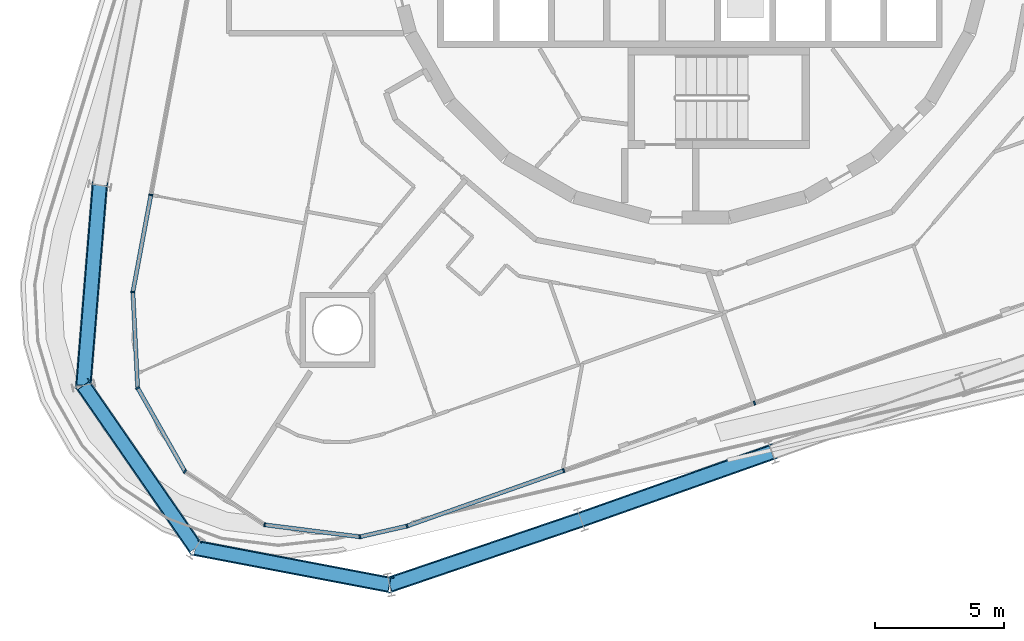
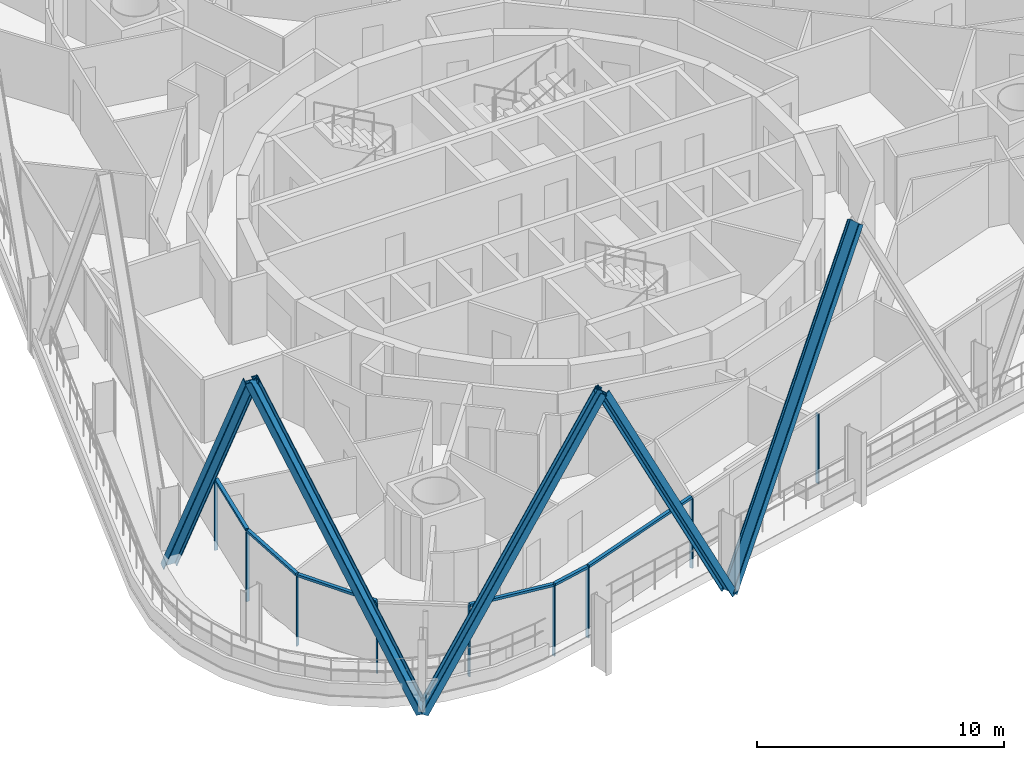
# One storey, part 2 of 25: 20 members, 2 elements without a shape of their own.
"""IFC4 building model written with IfcOpenShell, lengths in metres."""

from ifc_helpers import new_model, si_unit, direction, frame, origin, origin_2d, place, context, subcontext, project, spatial, rectangle, i_section, extrude, material, layer, layer_set, material_profile, profile_set, type_object, element, aggregate, save


model = new_model("IFC4")

# Units and contexts
model_context = context("Model", 3, precision=1e-05, world=origin(), true_north=direction((0.0, 1.0)))
body_context = subcontext(model_context, "Body", "Model", "MODEL_VIEW")
ifc_project = project(units=[si_unit("LENGTHUNIT", "METRE"), si_unit("AREAUNIT", "SQUARE_METRE"), si_unit("VOLUMEUNIT", "CUBIC_METRE"), si_unit("PLANEANGLEUNIT", "RADIAN"), si_unit("MASSUNIT", "GRAM", prefix="KILO")], contexts=[model_context])

# Site, building, storey
site_placement = place(None, origin())
site = spatial("IfcSite", under=ifc_project, at=site_placement, CompositionType="ELEMENT")
building_placement = place(site_placement, origin())
building = spatial("IfcBuilding", under=site, at=building_placement, Name="Spindle Arch Residences", CompositionType="ELEMENT")
storey_placement = place(building_placement, frame((0.0, 0.0, 151.699951171875)))
storey = spatial("IfcBuildingStorey", under=building, at=storey_placement, Name="L37", CompositionType="ELEMENT", Elevation=151.699951171875)

# Curtain wall, members
ifc_material_1 = material(Name="Aluminium bronze unitised frame with tinted glass", Category="aluminium")
ifc_layer_1 = layer(ifc_material_1, 0.159912109375)
ifc_layer_set_1 = layer_set([ifc_layer_1], Name="CW-D corner wall on the fillet arcs")
curtain_wall_type_1 = type_object("IfcCurtainWallType", Name="CW-D corner wall on the fillet arcs", PredefinedType="NOTDEFINED", material=ifc_layer_set_1)
curtain_wall_1_placement = place(storey_placement, origin())
curtain_wall_1 = element("IfcCurtainWall", 1, at=curtain_wall_1_placement, inside=storey, type_object=curtain_wall_type_1, Name="CW-D L37 run 5", PredefinedType="NOTDEFINED")
ifc_material_2 = material(Name="Aluminium bronze anodised mullion", Category="aluminium")
ifc_material_profile_1 = material_profile(ifc_material_2, rectangle(XDim=0.159912109375, YDim=0.06005859375, at=origin_2d()), Name="MU 60x160")
ifc_profile_set_1 = profile_set([ifc_material_profile_1], Name="Aluminium bronze anodised mullion")
member_type_1 = type_object("IfcMemberType", Name="Bronze mullion 60x160", PredefinedType="MULLION", material=ifc_profile_set_1)
member_1_placement = place(storey_placement, frame((-20.92724609375, -10.77685546875, -0.449951171875), z_axis=(0.0, 0.0, 1.0), x_axis=(0.983254907564, -0.182235525492, 0.0)))
member_1 = element("IfcMember", 2, at=member_1_placement, type_object=member_type_1, Name="CW-D mullion 00", PredefinedType="MULLION", context=body_context, shape_type="SweptSolid", body=[
    extrude(rectangle(XDim=0.159912109375, YDim=0.06005859375, at=origin_2d()), origin(), (0.0, 0.0, 1.0), 3.449951171875),
])
member_2_placement = place(storey_placement, frame((-21.6259765625, -14.546142578125, -0.449951171875), z_axis=(0.0, 0.0, 1.0), x_axis=(0.99877754864, 0.049430843939, 0.0)))
member_2 = element("IfcMember", 3, at=member_2_placement, type_object=member_type_1, Name="CW-D mullion 01", PredefinedType="MULLION", context=body_context, shape_type="SweptSolid", body=[
    extrude(rectangle(XDim=0.159912109375, YDim=0.06005859375, at=origin_2d()), origin(), (0.0, 0.0, 1.0), 3.449951171875),
])
member_3_placement = place(storey_placement, frame((-21.441650390625, -18.268310546875, -0.449951171875), z_axis=(0.0, 0.0, 1.0), x_axis=(0.870355694762, 0.492423562185, 0.0)))
member_3 = element("IfcMember", 4, at=member_3_placement, type_object=member_type_1, Name="CW-D mullion 02", PredefinedType="MULLION", context=body_context, shape_type="SweptSolid", body=[
    extrude(rectangle(XDim=0.159912109375, YDim=0.06005859375, at=origin_2d()), origin(), (0.0, 0.0, 1.0), 3.449951171875),
])
member_4_placement = place(storey_placement, frame((-19.6064453125, -21.511962890625, -0.449951171875), z_axis=(0.0, 0.0, 1.0), x_axis=(0.556778968928, 0.830660688705, 0.0)))
member_4 = element("IfcMember", 5, at=member_4_placement, type_object=member_type_1, Name="CW-D mullion 03", PredefinedType="MULLION", context=body_context, shape_type="SweptSolid", body=[
    extrude(rectangle(XDim=0.159912109375, YDim=0.06005859375, at=origin_2d()), origin(), (0.0, 0.0, 1.0), 3.449951171875),
])
member_5_placement = place(storey_placement, frame((-16.510986328125, -23.5869140625, -0.449951171875), z_axis=(0.0, 0.0, 1.0), x_axis=(0.12475602349, 0.992187449327, 0.0)))
member_5 = element("IfcMember", 6, at=member_5_placement, type_object=member_type_1, Name="CW-D mullion 04", PredefinedType="MULLION", context=body_context, shape_type="SweptSolid", body=[
    extrude(rectangle(XDim=0.159912109375, YDim=0.06005859375, at=origin_2d()), origin(), (0.0, 0.0, 1.0), 3.449951171875),
])
member_6_placement = place(storey_placement, frame((-12.813232421875, -24.0517578125, -0.449951171875), z_axis=(0.0, 0.0, 1.0), x_axis=(-0.222115779565, 0.975020297465, 0.0)))
member_6 = element("IfcMember", 7, at=member_6_placement, type_object=member_type_1, Name="CW-D mullion 05", PredefinedType="MULLION", context=body_context, shape_type="SweptSolid", body=[
    extrude(rectangle(XDim=0.159912109375, YDim=0.06005859375, at=origin_2d()), origin(), (0.0, 0.0, 1.0), 3.449951171875),
])
member_7_placement = place(storey_placement, frame((-10.984130859375, -23.63525390625, -0.449951171875), z_axis=(0.0, 0.0, 1.0), x_axis=(-0.333806859234, 0.942641491092, 0.0)))
member_7 = element("IfcMember", 8, at=member_7_placement, type_object=member_type_1, Name="CW-D mullion 06", PredefinedType="MULLION", context=body_context, shape_type="SweptSolid", body=[
    extrude(rectangle(XDim=0.159912109375, YDim=0.06005859375, at=origin_2d()), origin(), (0.0, 0.0, 1.0), 3.449951171875),
])

ifc_material_3 = material(Name="Aluminium bronze unitised frame with tinted glass", Category="aluminium")
ifc_layer_2 = layer(ifc_material_3, 0.159912109375)
ifc_layer_set_2 = layer_set([ifc_layer_2], Name="CW-C typical residential unitised wall")
curtain_wall_type_2 = type_object("IfcCurtainWallType", Name="CW-C typical residential unitised wall", PredefinedType="NOTDEFINED", material=ifc_layer_set_2)
curtain_wall_2_placement = place(storey_placement, origin())
curtain_wall_2 = element("IfcCurtainWall", 9, at=curtain_wall_2_placement, inside=storey, type_object=curtain_wall_type_2, Name="CW-C L37 run 6", PredefinedType="NOTDEFINED")
member_8_placement = place(storey_placement, frame((-4.900634765625, -21.48095703125, -0.449951171875), z_axis=(0.0, 0.0, 1.0), x_axis=(-0.333806859234, 0.942641491092, 0.0)))
member_8 = element("IfcMember", 10, at=member_8_placement, type_object=member_type_1, Name="CW-C mullion 20", PredefinedType="MULLION", context=body_context, shape_type="SweptSolid", body=[
    extrude(rectangle(XDim=0.159912109375, YDim=0.06005859375, at=origin_2d()), origin(), (0.0, 0.0, 1.0), 3.449951171875),
])
member_9_placement = place(storey_placement, frame((2.508544921875, -18.857177734375, -0.449951171875), z_axis=(0.0, 0.0, 1.0), x_axis=(-0.333806859234, 0.942641491092, 0.0)))
member_9 = element("IfcMember", 11, at=member_9_placement, type_object=member_type_1, Name="CW-C mullion 21", PredefinedType="MULLION", context=body_context, shape_type="SweptSolid", body=[
    extrude(rectangle(XDim=0.159912109375, YDim=0.06005859375, at=origin_2d()), origin(), (0.0, 0.0, 1.0), 3.449951171875),
])
aggregate(curtain_wall_2, [member_8, member_9])

# Member
ifc_material_4 = material(Name="Aluminium bronze anodised transom", Category="aluminium")
ifc_material_profile_2 = material_profile(ifc_material_4, rectangle(XDim=0.159912109375, YDim=0.1201171875, at=origin_2d()), Name="TR 120x160")
ifc_profile_set_2 = profile_set([ifc_material_profile_2], Name="Aluminium bronze anodised transom")
member_type_2 = type_object("IfcMemberType", Name="Bronze transom 120x160", PredefinedType="USERDEFINED", material=ifc_profile_set_2)
member_10_placement = place(storey_placement, frame((-20.932861328125, -10.806396484375, 3.06005859375), z_axis=(-0.182198152475, -0.983261833509, 0.0), x_axis=(0.983261833509, -0.182198152475, 0.0)))
member_10 = element("IfcMember", 12, at=member_10_placement, type_object=member_type_2, Name="CW-D transom 00", ObjectType="TRANSOM", PredefinedType="USERDEFINED", context=body_context, shape_type="SweptSolid", body=[
    extrude(rectangle(XDim=0.159912109375, YDim=0.1201171875, at=origin_2d()), origin(), (0.0, 0.0, 1.0), 3.7734375),
])

member_11_placement = place(storey_placement, frame((-21.62451171875, -14.576171875, 3.06005859375), z_axis=(0.049472678643, -0.998775477306, 0.0), x_axis=(0.998775477306, 0.049472678643, 0.0)))
member_11 = element("IfcMember", 13, at=member_11_placement, type_object=member_type_2, Name="CW-D transom 01", ObjectType="TRANSOM", PredefinedType="USERDEFINED", context=body_context, shape_type="SweptSolid", body=[
    extrude(rectangle(XDim=0.159912109375, YDim=0.1201171875, at=origin_2d()), origin(), (0.0, 0.0, 1.0), 3.66650390625),
])

member_12_placement = place(storey_placement, frame((-21.427001953125, -18.29443359375, 3.06005859375), z_axis=(0.49243456751, -0.870349468157, 0.0), x_axis=(0.870349468157, 0.49243456751, 0.0)))
member_12 = element("IfcMember", 14, at=member_12_placement, type_object=member_type_2, Name="CW-D transom 02", ObjectType="TRANSOM", PredefinedType="USERDEFINED", context=body_context, shape_type="SweptSolid", body=[
    extrude(rectangle(XDim=0.159912109375, YDim=0.1201171875, at=origin_2d()), origin(), (0.0, 0.0, 1.0), 3.666748046875),
])

member_13_placement = place(storey_placement, frame((-16.481201171875, -23.590576171875, 3.06005859375), z_axis=(0.992185413992, -0.12477220949, 0.0), x_axis=(0.12477220949, 0.992185413992, 0.0)))
member_13 = element("IfcMember", 15, at=member_13_placement, type_object=member_type_2, Name="CW-D transom 04", ObjectType="TRANSOM", PredefinedType="USERDEFINED", context=body_context, shape_type="SweptSolid", body=[
    extrude(rectangle(XDim=0.159912109375, YDim=0.1201171875, at=origin_2d()), origin(), (0.0, 0.0, 1.0), 3.666748046875),
])

member_14_placement = place(storey_placement, frame((-12.783935546875, -24.045166015625, 3.06005859375), z_axis=(0.975028425033, 0.222080099015, 0.0), x_axis=(-0.222080099015, 0.975028425033, 0.0)))
member_14 = element("IfcMember", 16, at=member_14_placement, type_object=member_type_2, Name="CW-D transom 05", ObjectType="TRANSOM", PredefinedType="USERDEFINED", context=body_context, shape_type="SweptSolid", body=[
    extrude(rectangle(XDim=0.159912109375, YDim=0.1201171875, at=origin_2d()), origin(), (0.0, 0.0, 1.0), 1.816162109375),
])

member_15_placement = place(storey_placement, frame((-10.955810546875, -23.625244140625, 3.06005859375), z_axis=(0.942638740525, 0.333814626495, 0.0), x_axis=(-0.333814626495, 0.942638740525, 0.0)))
member_15 = element("IfcMember", 17, at=member_15_placement, type_object=member_type_2, Name="CW-D transom 06", ObjectType="TRANSOM", PredefinedType="USERDEFINED", context=body_context, shape_type="SweptSolid", body=[
    extrude(rectangle(XDim=0.159912109375, YDim=0.1201171875, at=origin_2d()), origin(), (0.0, 0.0, 1.0), 6.3935546875),
])

aggregate(curtain_wall_1, [member_1, member_10, member_2, member_11, member_3, member_12, member_4, member_5, member_13, member_6, member_14, member_7, member_15])

# Members
ifc_material_5 = material(Name="Steel S460ML, intumescent coating R 240", Category="steel")
ifc_material_profile_3 = material_profile(ifc_material_5, i_section(OverallWidth=0.304931640625, OverallDepth=0.6201171875, WebThickness=0.02099609375, FlangeThickness=0.0400390625, FilletRadius=0.027099609375, at=origin_2d()), Name="HEM 600")
ifc_profile_set_3 = profile_set([ifc_material_profile_3], Name="Steel S460ML, intumescent coating R 240")
member_type_3 = type_object("IfcMemberType", Name="Diagrid diagonal HEM 600", PredefinedType="BRACE", material=ifc_profile_set_3)
member_16_placement = place(storey_placement, frame((-22.91357421875, -10.40869140625, -0.699951171875), z_axis=(-0.039433141018, -0.48298767526, 0.874738779829), x_axis=(0.071180502887, 0.871837868497, 0.484594745188)))
element("IfcMember", 18, at=member_16_placement, inside=storey, type_object=member_type_3, Name="Diagrid diagonal 4.1.17", PredefinedType="BRACE", context=body_context, shape_type="SweptSolid", body=[
    extrude(i_section(OverallWidth=0.304931640625, OverallDepth=0.6201171875, WebThickness=0.02099609375, FlangeThickness=0.0400390625, FilletRadius=0.027099609375, at=origin_2d()), origin(), (0.0, 0.0, 1.0), 16.0849609375),
])
member_17_placement = place(storey_placement, frame((-19.192138671875, -24.482666015625, -0.699951171875), z_axis=(-0.271863643291, 0.39354018562, 0.878189206127), x_axis=(0.499144937308, -0.722544540716, 0.478313410058)))
element("IfcMember", 19, at=member_17_placement, inside=storey, type_object=member_type_3, Name="Diagrid diagonal 4.1.18", PredefinedType="BRACE", context=body_context, shape_type="SweptSolid", body=[
    extrude(i_section(OverallWidth=0.304931640625, OverallDepth=0.6201171875, WebThickness=0.02099609375, FlangeThickness=0.0400390625, FilletRadius=0.027099609375, at=origin_2d()), origin(), (0.0, 0.0, 1.0), 16.021728515625),
])
member_18_placement = place(storey_placement, frame((-19.192138671875, -24.482666015625, -0.699951171875), z_axis=(0.469871551822, -0.089402834264, 0.878195797083), x_axis=(-0.862718153598, 0.164150069958, 0.478301308786)))
element("IfcMember", 20, at=member_18_placement, inside=storey, type_object=member_type_3, Name="Diagrid diagonal 4.1.19", PredefinedType="BRACE", context=body_context, shape_type="SweptSolid", body=[
    extrude(i_section(OverallWidth=0.304931640625, OverallDepth=0.6201171875, WebThickness=0.02099609375, FlangeThickness=0.0400390625, FilletRadius=0.027099609375, at=origin_2d()), origin(), (0.0, 0.0, 1.0), 16.021484375),
])
member_19_placement = place(storey_placement, frame((-4.226318359375, -23.385009765625, -0.699951171875), z_axis=(-0.461546401306, -0.15700001171, 0.873112773795), x_axis=(0.826598849663, 0.2811765593, 0.48751829118)))
element("IfcMember", 21, at=member_19_placement, inside=storey, type_object=member_type_3, Name="Diagrid diagonal 4.1.20", PredefinedType="BRACE", context=body_context, shape_type="SweptSolid", body=[
    extrude(i_section(OverallWidth=0.304931640625, OverallDepth=0.6201171875, WebThickness=0.02099609375, FlangeThickness=0.0400390625, FilletRadius=0.027099609375, at=origin_2d()), origin(), (0.0, 0.0, 1.0), 16.11474609375),
])
member_20_placement = place(storey_placement, frame((-4.226318359375, -23.385009765625, -0.699951171875), z_axis=(0.459721557889, 0.162799116338, 0.873013480384), x_axis=(-0.822936940791, -0.291422937349, 0.487696076536)))
element("IfcMember", 22, at=member_20_placement, inside=storey, type_object=member_type_3, Name="Diagrid diagonal 4.1.21", PredefinedType="BRACE", context=body_context, shape_type="SweptSolid", body=[
    extrude(i_section(OverallWidth=0.304931640625, OverallDepth=0.6201171875, WebThickness=0.02099609375, FlangeThickness=0.0400390625, FilletRadius=0.027099609375, at=origin_2d()), origin(), (0.0, 0.0, 1.0), 16.11669921875),
])

save(model, "model.ifc")
